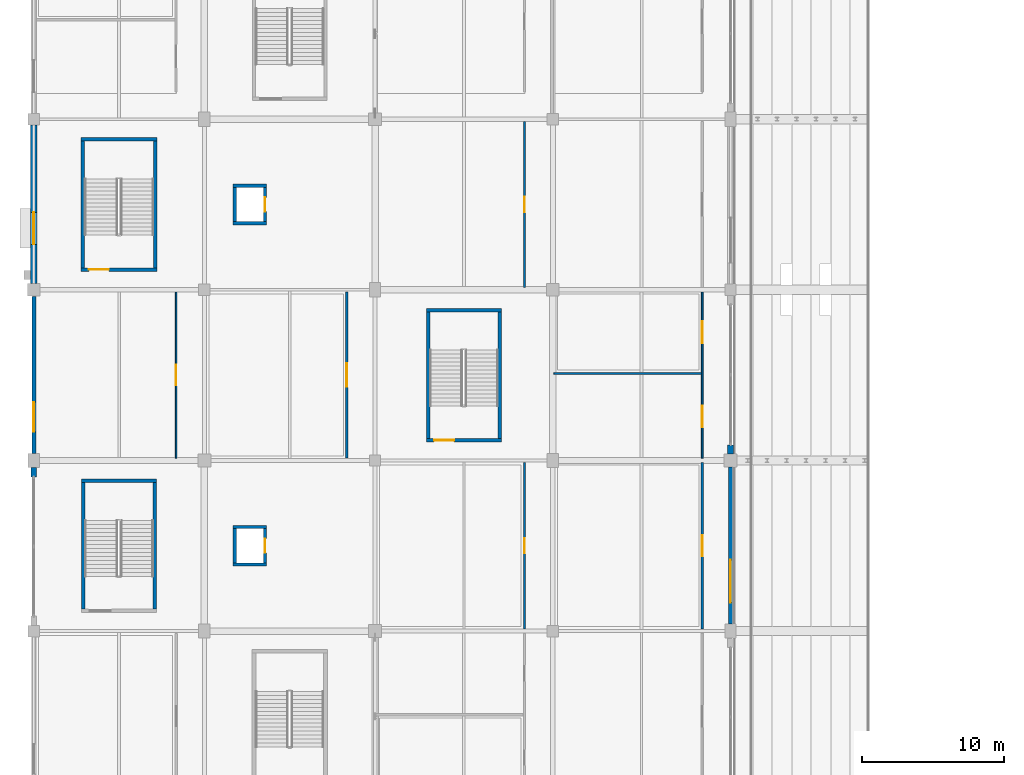
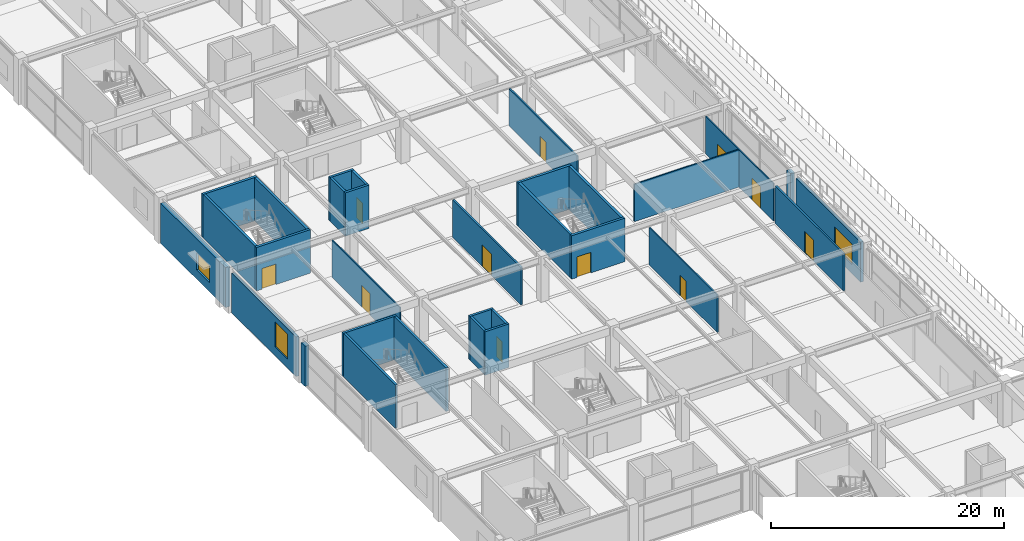
# One storey, part 80 of 134: 31 walls, 11 doors, 3 windows, 14 openings.
"""IFC4 building model written with IfcOpenShell, lengths in metres."""

import ifcopenshell
import ifcopenshell.guid

model = None  # the IFC model being written
_history = None  # IfcOwnerHistory: only IFC2X3 demands one
_inside = {}  # id of a spatial element -> (the spatial element, [elements in it])
_under = {}  # id of a project, library or spatial element -> (it, [spatial elements below it])
_declared = {}  # id of a project -> (the project, [libraries it declares])
_typed = {}  # id of a type object -> (the type object, [elements of that type])
_made_of = {}  # id of a material, layer set ... -> (it, [elements and type objects made of it])


def new_model(schema):
    """Start an empty IFC model of exactly this schema.

    Asked for "IFC4X3", IfcOpenShell would pick the latest addendum, in which some entities
    have other attributes; the version numbers below select the first issue.
    IFC2X3 requires an IfcOwnerHistory on every rooted entity: one is made here for all.
    """
    global model, _history
    if schema == "IFC4X3":
        model = ifcopenshell.file(schema_version=(4, 3, 0, 0))
    else:
        model = ifcopenshell.file(schema=schema)
    _inside.clear()
    _under.clear()
    _declared.clear()
    _typed.clear()
    _made_of.clear()
    _history = None
    if model.schema == "IFC2X3":
        org = make("IfcOrganization", Name="unknown")
        user = make(
            "IfcPersonAndOrganization",
            ThePerson=make("IfcPerson", FamilyName="unknown"),
            TheOrganization=org,
        )
        app = make(
            "IfcApplication",
            ApplicationDeveloper=org,
            Version="unknown",
            ApplicationFullName="unknown",
            ApplicationIdentifier="unknown",
        )
        _history = make(
            "IfcOwnerHistory",
            OwningUser=user,
            OwningApplication=app,
            ChangeAction="ADDED",
            CreationDate=0,
        )
    return model


def make(cls, **values):
    """One entity of the class cls with the attributes given. An attribute that is None is left unset."""
    return model.create_entity(
        cls, **{name: value for name, value in values.items() if value is not None}
    )


def rooted(cls, **values):
    """An entity with a GlobalId (a new one), such as an element, a storey or a relation."""
    return make(cls, GlobalId=ifcopenshell.guid.new(), OwnerHistory=_history, **values)


def si_unit(unit_type, name, prefix=None):
    """IfcSIUnit, for example si_unit("LENGTHUNIT", "METRE", prefix="MILLI")."""
    return make("IfcSIUnit", UnitType=unit_type, Prefix=prefix, Name=name)


def assignment(units):
    """IfcUnitAssignment: the units of a project."""
    return None if units is None else make("IfcUnitAssignment", Units=units)


def point(xyz):
    """IfcCartesianPoint."""
    return None if xyz is None else make("IfcCartesianPoint", Coordinates=xyz)


def direction(xyz):
    """IfcDirection."""
    return None if xyz is None else make("IfcDirection", DirectionRatios=xyz)


def frame(location, z_axis=None, x_axis=None):
    """IfcAxis2Placement3D, a coordinate frame: its origin and axes. An axis left out is left unset."""
    return make(
        "IfcAxis2Placement3D",
        Location=point(location),
        Axis=direction(z_axis),
        RefDirection=direction(x_axis),
    )


def frame_2d(location, x_axis=None):
    """IfcAxis2Placement2D, a coordinate frame in the plane: its origin and x axis."""
    return make(
        "IfcAxis2Placement2D", Location=point(location), RefDirection=direction(x_axis)
    )


def origin():
    """The frame at (0, 0, 0) with its axes left unset."""
    return frame((0.0, 0.0, 0.0))


def place(relative_to, where):
    """IfcLocalPlacement: puts the frame where relative to a parent placement (None: the world)."""
    return make(
        "IfcLocalPlacement", PlacementRelTo=relative_to, RelativePlacement=where
    )


def context(
    kind, dimensions, precision=None, world=None, true_north=None, identifier=None
):
    """IfcGeometricRepresentationContext, for example the 3D "Model" context."""
    return make(
        "IfcGeometricRepresentationContext",
        ContextIdentifier=identifier,
        ContextType=kind,
        CoordinateSpaceDimension=dimensions,
        Precision=precision,
        WorldCoordinateSystem=world,
        TrueNorth=true_north,
    )


def subcontext(parent, identifier, kind, view, scale=None):
    """IfcGeometricRepresentationSubContext, for example "Body" below "Model"."""
    return make(
        "IfcGeometricRepresentationSubContext",
        ContextIdentifier=identifier,
        ContextType=kind,
        ParentContext=parent,
        TargetScale=scale,
        TargetView=view,
    )


def project(units=None, contexts=None):
    """IfcProject with its units and contexts."""
    return rooted(
        "IfcProject",
        Name="project",
        RepresentationContexts=contexts,
        UnitsInContext=assignment(units),
    )


def spatial(cls, under=None, at=None, **own):
    """A site, building, storey or space (cls), placed at a placement, below another one or the project."""
    s = rooted(cls, ObjectPlacement=at, **own)
    if under is not None:
        _under.setdefault(under.id(), (under, []))[1].append(s)
    return s


def profile(cls, at=None, kind="AREA", **sizes):
    """A parametric profile (cls). Its sizes go by their IFC names, for example OverallWidth=200.0."""
    return make(cls, ProfileType=kind, Position=at, **sizes)


def rectangle(**sizes):
    """IfcRectangleProfileDef."""
    return profile("IfcRectangleProfileDef", **sizes)


def extrude(swept, where, along, depth):
    """IfcExtrudedAreaSolid: the profile swept, set in the frame where, extruded along a direction by depth."""
    return make(
        "IfcExtrudedAreaSolid",
        SweptArea=swept,
        Position=where,
        ExtrudedDirection=direction(along),
        Depth=depth,
    )


def shape(context_of_items, identifier, shape_type, items):
    """IfcShapeRepresentation: the items that make up one representation, for example the "Body"."""
    return make(
        "IfcShapeRepresentation",
        ContextOfItems=context_of_items,
        RepresentationIdentifier=identifier,
        RepresentationType=shape_type,
        Items=items,
    )


def material(Name=None, Category=None):
    """IfcMaterial."""
    return make("IfcMaterial", Name=Name, Category=Category)


def layer(
    of_material, thickness, ventilated=None, Name=None, Category=None, Priority=None
):
    """IfcMaterialLayer: one layer of a wall or slab, of a material (None: an air gap)."""
    return make(
        "IfcMaterialLayer",
        Material=of_material,
        LayerThickness=thickness,
        IsVentilated=ventilated,
        Name=Name,
        Category=Category,
        Priority=Priority,
    )


def layer_set(layers, Name=None):
    """IfcMaterialLayerSet."""
    return make("IfcMaterialLayerSet", MaterialLayers=layers, LayerSetName=Name)


def made_of(thing, what):
    """Note that an element or type object is made of a material, layer set ...; save() writes the relation."""
    if what is not None:
        _made_of.setdefault(what.id(), (what, []))[1].append(thing)
    return thing


def type_object(cls, material=None, **own):
    """A type object (cls), such as IfcWallType, which elements share."""
    return made_of(rooted(cls, **own), material)


def element(
    cls,
    number,
    at=None,
    inside=None,
    cuts=None,
    type_object=None,
    material=None,
    context=None,
    identifier="Body",
    shape_type=None,
    held_by="IfcProductDefinitionShape",
    body=None,
    shapes=None,
    **own,
):
    """One element of the class cls, such as IfcWall. Its Tag is "e" and its number.

    at: its placement. inside: the storey or other place that contains it. cuts: it is an
    opening in that element (IfcRelVoidsElement). A single representation is given by context,
    identifier, shape_type and body (its items); several are given by shapes. held_by: the class
    of the entity that holds the representations. save() writes the other relations.
    """
    e = rooted(cls, Tag="e%d" % number, ObjectPlacement=at, **own)
    if body is not None:
        shapes = [shape(context, identifier, shape_type, body)]
    if shapes is not None:
        e.Representation = make(held_by, Representations=shapes)
    if inside is not None:
        _inside.setdefault(inside.id(), (inside, []))[1].append(e)
    if cuts is not None:
        rooted(
            "IfcRelVoidsElement", RelatingBuildingElement=cuts, RelatedOpeningElement=e
        )
    if type_object is not None:
        _typed.setdefault(type_object.id(), (type_object, []))[1].append(e)
    return made_of(e, material)


def fill(opening, filler):
    """IfcRelFillsElement: the door or window that sits in an opening."""
    return rooted(
        "IfcRelFillsElement",
        RelatingOpeningElement=opening,
        RelatedBuildingElement=filler,
    )


def aggregate(whole, parts):
    """IfcRelAggregates: a whole, such as a stair, and the parts it consists of."""
    return rooted("IfcRelAggregates", RelatingObject=whole, RelatedObjects=parts)


def save(model, path):
    """Write the relations noted so far, then the file.

    IfcRelAggregates (storeys below a building ...), IfcRelContainedInSpatialStructure (elements
    in a storey), IfcRelDefinesByType, IfcRelAssociatesMaterial and IfcRelDeclares: one each for
    every whole, place, type object, material and project.
    """
    for whole, parts in _under.values():
        aggregate(whole, parts)
    for where, things in _inside.values():
        rooted(
            "IfcRelContainedInSpatialStructure",
            RelatedElements=things,
            RelatingStructure=where,
        )
    for kind, things in _typed.values():
        rooted("IfcRelDefinesByType", RelatedObjects=things, RelatingType=kind)
    for what, things in _made_of.values():
        rooted("IfcRelAssociatesMaterial", RelatedObjects=things, RelatingMaterial=what)
    for by, libraries in _declared.values():
        rooted("IfcRelDeclares", RelatingContext=by, RelatedDefinitions=libraries)
    model.write(path)


model = new_model("IFC4")

# Units and contexts
model_context = context("Model", 3, precision=1e-05, world=origin(), true_north=direction((0.0, 1.0)))
body_context = subcontext(model_context, "Body", "Model", "MODEL_VIEW")
ifc_project = project(units=[si_unit("LENGTHUNIT", "METRE"), si_unit("AREAUNIT", "SQUARE_METRE"), si_unit("VOLUMEUNIT", "CUBIC_METRE"), si_unit("PLANEANGLEUNIT", "RADIAN"), si_unit("MASSUNIT", "GRAM", prefix="KILO")], contexts=[model_context])

# Site, building, storey
site_placement = place(None, origin())
site = spatial("IfcSite", under=ifc_project, at=site_placement, CompositionType="ELEMENT")
building_placement = place(site_placement, origin())
building = spatial("IfcBuilding", under=site, at=building_placement, Name="Kazenohara Klinker Stadium", CompositionType="ELEMENT")
storey_placement = place(building_placement, frame((0.0, 0.0, 5.39990234375)))
storey = spatial("IfcBuildingStorey", under=building, at=storey_placement, Name="L01", CompositionType="ELEMENT", Elevation=5.39990234375)

# Walls
ifc_material_1 = material(Name="Concrete C40/50", Category="concrete")
ifc_layer_1 = layer(ifc_material_1, 0.22998046875)
ifc_layer_set_1 = layer_set([ifc_layer_1], Name="Concrete C40/50")
wall_type_1 = type_object("IfcWallType", Name="WAL-CORE-230", PredefinedType="SHEAR", material=ifc_layer_set_1)
wall_1_placement = place(storey_placement, frame((3.3701171875, 70.56494140625, 0.0), z_axis=(0.0, 0.0, 1.0), x_axis=(1.0, 0.0, 0.0)))
element("IfcWall", 1, at=wall_1_placement, inside=storey, type_object=wall_type_1, Name="Stairwell shear wall ST02 L01 North", PredefinedType="SHEAR", context=body_context, shape_type="SweptSolid", body=[
    extrude(rectangle(XDim=5.259765625, YDim=0.22998046875, at=frame_2d((2.6298828125, 0.0))), origin(), (0.0, 0.0, 1.0), 4.550048828125),
])
for number, where, z_axis, x_axis, name in (
    (2, (3.485107421875, 61.550048828125, 0.0), (0.0, 0.0, 1.0), (0.0, 1.0, 0.0), "Stairwell shear wall ST02 L01 West"),
    (3, (8.514892578125, 61.550048828125, 0.0), (0.0, 0.0, 1.0), (0.0, 1.0, 0.0), "Stairwell shear wall ST02 L01 East"),
):
    element("IfcWall", number, at=place(storey_placement, frame(where, z_axis=z_axis, x_axis=x_axis)), inside=storey, type_object=wall_type_1, Name=name, PredefinedType="SHEAR", context=body_context, shape_type="SweptSolid", body=[
        extrude(rectangle(XDim=8.89990234375, YDim=0.22998046875, at=frame_2d((4.449951171875, 0.0))), origin(), (0.0, 0.0, 1.0), 4.550048828125),
    ])
for number, where, z_axis, x_axis, name in (
    (4, (14.02001953125, 64.68505859375, 0.0), (0.0, 0.0, 1.0), (1.0, 0.0, 0.0), "Elevator shaft wall LP01 L01 South"),
    (5, (14.02001953125, 67.31494140625, 0.0), (0.0, 0.0, 1.0), (1.0, 0.0, 0.0), "Elevator shaft wall LP01 L01 North"),
):
    element("IfcWall", number, at=place(storey_placement, frame(where, z_axis=z_axis, x_axis=x_axis)), inside=storey, type_object=wall_type_1, Name=name, PredefinedType="SHEAR", context=body_context, shape_type="SweptSolid", body=[
        extrude(rectangle(XDim=2.35986328125, YDim=0.22998046875, at=frame_2d((1.179931640625, 0.0))), origin(), (0.0, 0.0, 1.0), 4.550048828125),
    ])
wall_2_placement = place(storey_placement, frame((14.135009765625, 64.800048828125, 0.0), z_axis=(0.0, 0.0, 1.0), x_axis=(0.0, 1.0, 0.0)))
element("IfcWall", 6, at=wall_2_placement, inside=storey, type_object=wall_type_1, Name="Elevator shaft wall LP01 L01 West", PredefinedType="SHEAR", context=body_context, shape_type="SweptSolid", body=[
    extrude(rectangle(XDim=2.39990234375, YDim=0.22998046875, at=frame_2d((1.199951171875, 0.0))), origin(), (0.0, 0.0, 1.0), 4.550048828125),
])

# Wall, opening, door
wall_3_placement = place(storey_placement, frame((16.264892578125, 64.800048828125, 0.0), z_axis=(0.0, 0.0, 1.0), x_axis=(0.0, 1.0, 0.0)))
wall_3 = element("IfcWall", 7, at=wall_3_placement, inside=storey, type_object=wall_type_1, Name="Elevator shaft wall LP01 L01 East", PredefinedType="SHEAR", context=body_context, shape_type="SweptSolid", body=[
    extrude(rectangle(XDim=2.39990234375, YDim=0.22998046875, at=frame_2d((1.199951171875, 0.0))), origin(), (0.0, 0.0, 1.0), 4.550048828125),
])
opening_1_placement = place(wall_3_placement, frame((0.699951171875, 0.0, 0.0)))
opening_1 = element("IfcOpeningElement", 8, at=opening_1_placement, cuts=wall_3, Name="Opening LD02", PredefinedType="OPENING", context=body_context, shape_type="SweptSolid", body=[
    extrude(rectangle(XDim=1.0, YDim=2.14990234375, at=frame_2d((0.5, 1.074951171875))), frame((0.0, 0.125, 0.0), z_axis=(0.0, -1.0, 0.0), x_axis=(1.0, 0.0, 0.0)), (0.0, 0.0, 1.0), 0.25),
])
ifc_material_2 = material(Name="Stainless steel sliding landing door", Category="steel")
door_type_1 = type_object("IfcDoorType", Name="DR-LD02-1000x2150", OperationType="NOTDEFINED", PredefinedType="DOOR", material=ifc_material_2)
door_1_placement = place(opening_1_placement, origin())
door_1 = element("IfcDoor", 9, at=door_1_placement, inside=storey, type_object=door_type_1, Name="Elevator sliding landing door LP01-L01", OperationType="DOUBLE_DOOR_SLIDING", OverallHeight=2.14990234375, OverallWidth=1.0, PredefinedType="DOOR", context=body_context, shape_type="SweptSolid", body=[
    extrude(rectangle(XDim=1.0, YDim=2.14990234375, at=frame_2d((0.5, 1.074951171875))), frame((0.0, 0.02490234375, 0.0), z_axis=(0.0, -1.0, 0.0), x_axis=(1.0, 0.0, 0.0)), (0.0, 0.0, 1.0), 0.050048828125),
])
fill(opening_1, door_1)

# Walls
for number, where, z_axis, x_axis, name in (
    (10, (14.02001953125, 88.68505859375, 0.0), (0.0, 0.0, 1.0), (1.0, 0.0, 0.0), "Elevator shaft wall LP02 L01 South"),
    (11, (14.02001953125, 91.31494140625, 0.0), (0.0, 0.0, 1.0), (1.0, 0.0, 0.0), "Elevator shaft wall LP02 L01 North"),
):
    element("IfcWall", number, at=place(storey_placement, frame(where, z_axis=z_axis, x_axis=x_axis)), inside=storey, type_object=wall_type_1, Name=name, PredefinedType="SHEAR", context=body_context, shape_type="SweptSolid", body=[
        extrude(rectangle(XDim=2.35986328125, YDim=0.22998046875, at=frame_2d((1.179931640625, 0.0))), origin(), (0.0, 0.0, 1.0), 4.550048828125),
    ])
wall_4_placement = place(storey_placement, frame((14.135009765625, 88.800048828125, 0.0), z_axis=(0.0, 0.0, 1.0), x_axis=(0.0, 1.0, 0.0)))
element("IfcWall", 12, at=wall_4_placement, inside=storey, type_object=wall_type_1, Name="Elevator shaft wall LP02 L01 West", PredefinedType="SHEAR", context=body_context, shape_type="SweptSolid", body=[
    extrude(rectangle(XDim=2.39990234375, YDim=0.22998046875, at=frame_2d((1.199951171875, 0.0))), origin(), (0.0, 0.0, 1.0), 4.550048828125),
])

# Wall, opening, door
wall_5_placement = place(storey_placement, frame((16.264892578125, 88.800048828125, 0.0), z_axis=(0.0, 0.0, 1.0), x_axis=(0.0, 1.0, 0.0)))
wall_5 = element("IfcWall", 13, at=wall_5_placement, inside=storey, type_object=wall_type_1, Name="Elevator shaft wall LP02 L01 East", PredefinedType="SHEAR", context=body_context, shape_type="SweptSolid", body=[
    extrude(rectangle(XDim=2.39990234375, YDim=0.22998046875, at=frame_2d((1.199951171875, 0.0))), origin(), (0.0, 0.0, 1.0), 4.550048828125),
])
opening_2_placement = place(wall_5_placement, frame((0.699951171875, 0.0, 0.0)))
opening_2 = element("IfcOpeningElement", 14, at=opening_2_placement, cuts=wall_5, Name="Opening LD02", PredefinedType="OPENING", context=body_context, shape_type="SweptSolid", body=[
    extrude(rectangle(XDim=1.0, YDim=2.14990234375, at=frame_2d((0.5, 1.074951171875))), frame((0.0, 0.125, 0.0), z_axis=(0.0, -1.0, 0.0), x_axis=(1.0, 0.0, 0.0)), (0.0, 0.0, 1.0), 0.25),
])
door_2_placement = place(opening_2_placement, origin())
door_2 = element("IfcDoor", 15, at=door_2_placement, inside=storey, type_object=door_type_1, Name="Elevator sliding landing door LP02-L01", OperationType="DOUBLE_DOOR_SLIDING", OverallHeight=2.14990234375, OverallWidth=1.0, PredefinedType="DOOR", context=body_context, shape_type="SweptSolid", body=[
    extrude(rectangle(XDim=1.0, YDim=2.14990234375, at=frame_2d((0.5, 1.074951171875))), frame((0.0, 0.02490234375, 0.0), z_axis=(0.0, -1.0, 0.0), x_axis=(1.0, 0.0, 0.0)), (0.0, 0.0, 1.0), 0.050048828125),
])
fill(opening_2, door_2)

ifc_layer_2 = layer(ifc_material_1, 0.25)
ifc_layer_set_2 = layer_set([ifc_layer_2], Name="Concrete C40/50")
wall_type_2 = type_object("IfcWallType", Name="WAL-CORE-250", PredefinedType="SHEAR", material=ifc_layer_set_2)
wall_6_placement = place(storey_placement, frame((3.330078125, 85.425048828125, 0.0), z_axis=(0.0, 0.0, 1.0), x_axis=(1.0, 0.0, 0.0)))
wall_6 = element("IfcWall", 16, at=wall_6_placement, inside=storey, type_object=wall_type_2, Name="Stairwell shear wall ST03 L01 South", PredefinedType="SHEAR", context=body_context, shape_type="SweptSolid", body=[
    extrude(rectangle(XDim=5.33984375, YDim=0.25, at=frame_2d((2.669921875, 0.0))), origin(), (0.0, 0.0, 1.0), 4.550048828125),
])
opening_3_placement = place(wall_6_placement, frame((0.550048828125, 0.0, 0.0)))
opening_3 = element("IfcOpeningElement", 17, at=opening_3_placement, cuts=wall_6, Name="Opening SD01", PredefinedType="OPENING", context=body_context, shape_type="SweptSolid", body=[
    extrude(rectangle(XDim=1.39990234375, YDim=2.14990234375, at=frame_2d((0.699951171875, 1.074951171875))), frame((0.0, 0.135009765625, 0.0), z_axis=(0.0, -1.0, 0.0), x_axis=(1.0, 0.0, 0.0)), (0.0, 0.0, 1.0), 0.27001953125),
])
ifc_material_3 = material(Name="Flush painted steel fire door leaf", Category="steel")
door_type_2 = type_object("IfcDoorType", Name="DR-STR-1400x2150", OperationType="NOTDEFINED", PredefinedType="DOOR", material=ifc_material_3)
door_3_placement = place(opening_3_placement, origin())
door_3 = element("IfcDoor", 18, at=door_3_placement, inside=storey, type_object=door_type_2, Name="Escape stairwell fire door ST03-L01", OperationType="SINGLE_SWING_LEFT", OverallHeight=2.14990234375, OverallWidth=1.39990234375, PredefinedType="DOOR", context=body_context, shape_type="SweptSolid", body=[
    extrude(rectangle(XDim=1.39990234375, YDim=2.14990234375, at=frame_2d((0.699951171875, 1.074951171875))), frame((0.0, 0.02490234375, 0.0), z_axis=(0.0, -1.0, 0.0), x_axis=(1.0, 0.0, 0.0)), (0.0, 0.0, 1.0), 0.050048828125),
])
fill(opening_3, door_3)

# Walls
wall_7_placement = place(storey_placement, frame((3.330078125, 94.574951171875, 0.0), z_axis=(0.0, 0.0, 1.0), x_axis=(1.0, 0.0, 0.0)))
element("IfcWall", 19, at=wall_7_placement, inside=storey, type_object=wall_type_2, Name="Stairwell shear wall ST03 L01 North", PredefinedType="SHEAR", context=body_context, shape_type="SweptSolid", body=[
    extrude(rectangle(XDim=5.33984375, YDim=0.25, at=frame_2d((2.669921875, 0.0))), origin(), (0.0, 0.0, 1.0), 4.550048828125),
])
for number, where, z_axis, x_axis, name in (
    (20, (3.455078125, 85.550048828125, 0.0), (0.0, 0.0, 1.0), (0.0, 1.0, 0.0), "Stairwell shear wall ST03 L01 West"),
    (21, (8.544921875, 85.550048828125, 0.0), (0.0, 0.0, 1.0), (0.0, 1.0, 0.0), "Stairwell shear wall ST03 L01 East"),
):
    element("IfcWall", number, at=place(storey_placement, frame(where, z_axis=z_axis, x_axis=x_axis)), inside=storey, type_object=wall_type_2, Name=name, PredefinedType="SHEAR", context=body_context, shape_type="SweptSolid", body=[
        extrude(rectangle(XDim=8.89990234375, YDim=0.25, at=frame_2d((4.449951171875, 0.0))), origin(), (0.0, 0.0, 1.0), 4.550048828125),
    ])

# Wall, opening, door
wall_8_placement = place(storey_placement, frame((27.610107421875, 73.425048828125, 0.0), z_axis=(0.0, 0.0, 1.0), x_axis=(1.0, 0.0, 0.0)))
wall_8 = element("IfcWall", 22, at=wall_8_placement, inside=storey, type_object=wall_type_2, Name="Stairwell shear wall ST17 L01 South", PredefinedType="SHEAR", context=body_context, shape_type="SweptSolid", body=[
    extrude(rectangle(XDim=5.27978515625, YDim=0.25, at=frame_2d((2.639892578125, 0.0))), origin(), (0.0, 0.0, 1.0), 4.550048828125),
])
opening_4_placement = place(wall_8_placement, frame((0.550048828125, 0.0, 0.0)))
opening_4 = element("IfcOpeningElement", 23, at=opening_4_placement, cuts=wall_8, Name="Opening SD01", PredefinedType="OPENING", context=body_context, shape_type="SweptSolid", body=[
    extrude(rectangle(XDim=1.39990234375, YDim=2.14990234375, at=frame_2d((0.699951171875, 1.074951171875))), frame((0.0, 0.135009765625, 0.0), z_axis=(0.0, -1.0, 0.0), x_axis=(1.0, 0.0, 0.0)), (0.0, 0.0, 1.0), 0.27001953125),
])
door_4_placement = place(opening_4_placement, origin())
door_4 = element("IfcDoor", 24, at=door_4_placement, inside=storey, type_object=door_type_2, Name="Escape stairwell fire door ST17-L01", OperationType="SINGLE_SWING_RIGHT", OverallHeight=2.14990234375, OverallWidth=1.39990234375, PredefinedType="DOOR", context=body_context, shape_type="SweptSolid", body=[
    extrude(rectangle(XDim=1.39990234375, YDim=2.14990234375, at=frame_2d((0.699951171875, 1.074951171875))), frame((0.0, 0.02490234375, 0.0), z_axis=(0.0, -1.0, 0.0), x_axis=(1.0, 0.0, 0.0)), (0.0, 0.0, 1.0), 0.050048828125),
])
fill(opening_4, door_4)

# Walls
wall_9_placement = place(storey_placement, frame((27.610107421875, 82.574951171875, 0.0), z_axis=(0.0, 0.0, 1.0), x_axis=(1.0, 0.0, 0.0)))
element("IfcWall", 25, at=wall_9_placement, inside=storey, type_object=wall_type_2, Name="Stairwell shear wall ST17 L01 North", PredefinedType="SHEAR", context=body_context, shape_type="SweptSolid", body=[
    extrude(rectangle(XDim=5.27978515625, YDim=0.25, at=frame_2d((2.639892578125, 0.0))), origin(), (0.0, 0.0, 1.0), 4.550048828125),
])
for number, where, z_axis, x_axis, name in (
    (26, (27.735107421875, 73.550048828125, 0.0), (0.0, 0.0, 1.0), (0.0, 1.0, 0.0), "Stairwell shear wall ST17 L01 West"),
    (27, (32.764892578125, 73.550048828125, 0.0), (0.0, 0.0, 1.0), (0.0, 1.0, 0.0), "Stairwell shear wall ST17 L01 East"),
):
    element("IfcWall", number, at=place(storey_placement, frame(where, z_axis=z_axis, x_axis=x_axis)), inside=storey, type_object=wall_type_2, Name=name, PredefinedType="SHEAR", context=body_context, shape_type="SweptSolid", body=[
        extrude(rectangle(XDim=8.89990234375, YDim=0.25, at=frame_2d((4.449951171875, 0.0))), origin(), (0.0, 0.0, 1.0), 4.550048828125),
    ])

# Wall, opening, window
ifc_material_4 = material(Name="Clinker brick masonry", Category="masonry")
ifc_layer_3 = layer(ifc_material_4, 0.280029296875)
ifc_layer_set_3 = layer_set([ifc_layer_3], Name="Clinker brick masonry")
wall_type_3 = type_object("IfcWallType", Name="WAL-EXT-CB280", PredefinedType="SOLIDWALL", material=ifc_layer_set_3)
wall_10_placement = place(storey_placement, frame((0.0, 72.50390625, 0.0), z_axis=(0.0, 0.0, 1.0), x_axis=(0.0, 1.0, 0.0)))
wall_10 = element("IfcWall", 28, at=wall_10_placement, inside=storey, type_object=wall_type_3, Name="Clinker brick cavity wall EW06 L01 Y0-6", PredefinedType="SOLIDWALL", context=body_context, shape_type="SweptSolid", body=[
    extrude(rectangle(XDim=11.0419921875, YDim=0.280029296875, at=frame_2d((5.52099609375, 0.0))), origin(), (0.0, 0.0, 1.0), 4.150146484375),
])
opening_5_placement = place(wall_10_placement, frame((1.5, 0.0, 0.949951171875)))
opening_5 = element("IfcOpeningElement", 29, at=opening_5_placement, cuts=wall_10, Name="Opening W20", PredefinedType="OPENING", context=body_context, shape_type="SweptSolid", body=[
    extrude(rectangle(XDim=2.10009765625, YDim=2.60009765625, at=frame_2d((1.050048828125, 1.300048828125))), frame((0.0, 0.14990234375, 0.0), z_axis=(0.0, -1.0, 0.0), x_axis=(1.0, 0.0, 0.0)), (0.0, 0.0, 1.0), 0.300048828125),
])
ifc_material_5 = material(Name="Dark bronze aluminium frame and triple glazing", Category="aluminium")
window_type_1 = type_object("IfcWindowType", Name="WIN-AS-20", PartitioningType="SINGLE_PANEL", PredefinedType="WINDOW", material=ifc_material_5)
window_1_placement = place(opening_5_placement, origin())
window_1 = element("IfcWindow", 30, at=window_1_placement, inside=storey, type_object=window_type_1, Name="Horizontal-mullion ladder window W20 L01 Y0-6", OverallHeight=2.60009765625, OverallWidth=2.10009765625, PartitioningType="SINGLE_PANEL", PredefinedType="WINDOW", context=body_context, shape_type="SweptSolid", body=[
    extrude(rectangle(XDim=2.10009765625, YDim=2.60009765625, at=frame_2d((1.050048828125, 1.300048828125))), frame((0.0, 0.030029296875, 0.0), z_axis=(0.0, -1.0, 0.0), x_axis=(1.0, 0.0, 0.0)), (0.0, 0.0, 1.0), 0.06005859375),
])
fill(opening_5, window_1)

wall_11_placement = place(storey_placement, frame((49.0, 60.50390625, 0.0), z_axis=(0.0, 0.0, 1.0), x_axis=(0.0, 1.0, 0.0)))
wall_11 = element("IfcWall", 31, at=wall_11_placement, inside=storey, type_object=wall_type_3, Name="Clinker brick cavity wall EW06 L01 Y4-5", PredefinedType="SOLIDWALL", context=body_context, shape_type="SweptSolid", body=[
    extrude(rectangle(XDim=11.0419921875, YDim=0.280029296875, at=frame_2d((5.52099609375, 0.0))), origin(), (0.0, 0.0, 1.0), 4.2001953125),
])
opening_6_placement = place(wall_11_placement, frame((1.5, 0.0, 0.949951171875)))
opening_6 = element("IfcOpeningElement", 32, at=opening_6_placement, cuts=wall_11, Name="Opening W31", PredefinedType="OPENING", context=body_context, shape_type="SweptSolid", body=[
    extrude(rectangle(XDim=3.0, YDim=2.14990234375, at=frame_2d((1.5, 1.074951171875))), frame((0.0, 0.14990234375, 0.0), z_axis=(0.0, -1.0, 0.0), x_axis=(1.0, 0.0, 0.0)), (0.0, 0.0, 1.0), 0.300048828125),
])
window_type_2 = type_object("IfcWindowType", Name="WIN-AS-31", PartitioningType="SINGLE_PANEL", PredefinedType="WINDOW", material=ifc_material_5)
window_2_placement = place(opening_6_placement, origin())
window_2 = element("IfcWindow", 33, at=window_2_placement, inside=storey, type_object=window_type_2, Name="Horizontal-mullion ladder window W31 L01 Y4-5", OverallHeight=2.14990234375, OverallWidth=3.0, PartitioningType="SINGLE_PANEL", PredefinedType="WINDOW", context=body_context, shape_type="SweptSolid", body=[
    extrude(rectangle(XDim=3.0, YDim=2.14990234375, at=frame_2d((1.5, 1.074951171875))), frame((0.0, 0.030029296875, 0.0), z_axis=(0.0, -1.0, 0.0), x_axis=(1.0, 0.0, 0.0)), (0.0, 0.0, 1.0), 0.06005859375),
])
fill(opening_6, window_2)

# Walls
ifc_layer_4 = layer(ifc_material_4, 0.409912109375)
ifc_layer_set_4 = layer_set([ifc_layer_4], Name="Clinker brick masonry")
wall_type_4 = type_object("IfcWallType", Name="WAL-EXT-CB410", PredefinedType="SOLIDWALL", material=ifc_layer_set_4)
wall_12_placement = place(storey_placement, frame((0.0, 70.845947265625, 0.0), z_axis=(0.0, 0.0, 1.0), x_axis=(0.0, 1.0, 0.0)))
element("IfcWall", 34, at=wall_12_placement, inside=storey, type_object=wall_type_4, Name="Clinker brick curtain-wall jamb pier L01 Y0-5 B", PredefinedType="SOLIDWALL", context=body_context, shape_type="SweptSolid", body=[
    extrude(rectangle(XDim=0.650146484375, YDim=0.409912109375, at=frame_2d((0.3251953125, 0.0))), origin(), (0.0, 0.0, 1.0), 4.2001953125),
])
wall_13_placement = place(storey_placement, frame((49.0, 72.4541015625, 0.0), z_axis=(0.0, 0.0, 1.0), x_axis=(0.0, 1.0, 0.0)))
element("IfcWall", 35, at=wall_13_placement, inside=storey, type_object=wall_type_4, Name="Clinker brick curtain-wall jamb pier L01 Y4-6 A", PredefinedType="SOLIDWALL", context=body_context, shape_type="SweptSolid", body=[
    extrude(rectangle(XDim=0.64990234375, YDim=0.409912109375, at=frame_2d((0.324951171875, 0.0))), origin(), (0.0, 0.0, 1.0), 4.150146484375),
])

# Wall, opening, window
ifc_layer_5 = layer(ifc_material_4, 0.449951171875)
ifc_layer_set_5 = layer_set([ifc_layer_5], Name="Clinker brick masonry")
wall_type_5 = type_object("IfcWallType", Name="WAL-EXT-CB450", PredefinedType="SOLIDWALL", material=ifc_layer_set_5)
wall_14_placement = place(storey_placement, frame((0.0, 84.4541015625, 0.0), z_axis=(0.0, 0.0, 1.0), x_axis=(0.0, 1.0, 0.0)))
wall_14 = element("IfcWall", 36, at=wall_14_placement, inside=storey, type_object=wall_type_5, Name="Clinker brick cavity wall EW01 L01 Y0-7", PredefinedType="SOLIDWALL", context=body_context, shape_type="SweptSolid", body=[
    extrude(rectangle(XDim=11.141845703125, YDim=0.449951171875, at=frame_2d((5.57080078125, 0.0))), origin(), (0.0, 0.0, 1.0), 4.2001953125),
])
opening_7_placement = place(wall_14_placement, frame((2.75, 0.0, 0.949951171875)))
opening_7 = element("IfcOpeningElement", 37, at=opening_7_placement, cuts=wall_14, Name="Opening W21", PredefinedType="OPENING", context=body_context, shape_type="SweptSolid", body=[
    extrude(rectangle(XDim=2.25, YDim=1.800048828125, at=frame_2d((1.125, 0.89990234375))), frame((0.0, 0.23486328125, 0.0), z_axis=(0.0, -1.0, 0.0), x_axis=(1.0, 0.0, 0.0)), (0.0, 0.0, 1.0), 0.469970703125),
])
window_type_3 = type_object("IfcWindowType", Name="WIN-AS-21", PartitioningType="SINGLE_PANEL", PredefinedType="WINDOW", material=ifc_material_5)
window_3_placement = place(opening_7_placement, origin())
window_3 = element("IfcWindow", 38, at=window_3_placement, inside=storey, type_object=window_type_3, Name="Horizontal-mullion ladder window W21 L01 Y0-7", OverallHeight=1.800048828125, OverallWidth=2.25, PartitioningType="SINGLE_PANEL", PredefinedType="WINDOW", context=body_context, shape_type="SweptSolid", body=[
    extrude(rectangle(XDim=2.25, YDim=1.800048828125, at=frame_2d((1.125, 0.89990234375))), frame((0.0, 0.030029296875, 0.0), z_axis=(0.0, -1.0, 0.0), x_axis=(1.0, 0.0, 0.0)), (0.0, 0.0, 1.0), 0.06005859375),
])
fill(opening_7, window_3)

# Wall, opening, door
ifc_material_6 = material(Name="Fire-rated gypsum board on acoustic studs", Category="gypsum")
ifc_layer_6 = layer(ifc_material_6, 0.110107421875)
ifc_layer_set_6 = layer_set([ifc_layer_6], Name="Fire-rated gypsum board on acoustic studs")
wall_type_6 = type_object("IfcWallType", Name="WAL-INT-P110", PredefinedType="PARTITIONING", material=ifc_layer_set_6)
wall_15_placement = place(storey_placement, frame((10.010009765625, 72.159912109375, 0.0), z_axis=(0.0, 0.0, 1.0), x_axis=(0.0, 1.0, 0.0)))
wall_15 = element("IfcWall", 39, at=wall_15_placement, inside=storey, type_object=wall_type_6, Name="Interior partition wall PT01 SPC-L01-00-06-1-1", PredefinedType="PARTITIONING", context=body_context, shape_type="SweptSolid", body=[
    extrude(rectangle(XDim=11.68017578125, YDim=0.110107421875, at=frame_2d((5.840087890625, 0.0))), origin(), (0.0, 0.0, 1.0), 3.920166015625),
])
opening_8_placement = place(wall_15_placement, frame((5.1201171875, 0.0, 0.0)))
opening_8 = element("IfcOpeningElement", 40, at=opening_8_placement, cuts=wall_15, Name="Opening ID19", PredefinedType="OPENING", context=body_context, shape_type="SweptSolid", body=[
    extrude(rectangle(XDim=1.43994140625, YDim=2.260009765625, at=frame_2d((0.719970703125, 1.1298828125))), frame((0.0, 0.06494140625, 0.0), z_axis=(0.0, -1.0, 0.0), x_axis=(1.0, 0.0, 0.0)), (0.0, 0.0, 1.0), 0.130126953125),
])
ifc_material_7 = material(Name="Painted steel plant fire door", Category="steel")
door_type_3 = type_object("IfcDoorType", Name="DR-INT-19", OperationType="NOTDEFINED", PredefinedType="DOOR", material=ifc_material_7)
door_5_placement = place(opening_8_placement, origin())
door_5 = element("IfcDoor", 41, at=door_5_placement, inside=storey, type_object=door_type_3, Name="Interior door ID19 Family Sensory Hospitality Lounge L01-0006A", OperationType="SINGLE_SWING_RIGHT", OverallHeight=2.260009765625, OverallWidth=1.43994140625, PredefinedType="DOOR", context=body_context, shape_type="SweptSolid", body=[
    extrude(rectangle(XDim=1.43994140625, YDim=2.260009765625, at=frame_2d((0.719970703125, 1.1298828125))), frame((0.0, 0.02490234375, 0.0), z_axis=(0.0, -1.0, 0.0), x_axis=(1.0, 0.0, 0.0)), (0.0, 0.0, 1.0), 0.050048828125),
])
fill(opening_8, door_5)

# Wall, openings, doors
wall_16_placement = place(storey_placement, frame((47.010009765625, 72.159912109375, 0.0), z_axis=(0.0, 0.0, 1.0), x_axis=(0.0, 1.0, 0.0)))
wall_16 = element("IfcWall", 42, at=wall_16_placement, inside=storey, type_object=wall_type_6, Name="Interior partition wall PT01 SPC-L01-03-06-1-1", PredefinedType="PARTITIONING", context=body_context, shape_type="SweptSolid", body=[
    extrude(rectangle(XDim=11.68017578125, YDim=0.110107421875, at=frame_2d((5.840087890625, 0.0))), origin(), (0.0, 0.0, 1.0), 3.920166015625),
])
opening_9_placement = place(wall_16_placement, frame((2.178466796875, 0.0, 0.0)))
opening_9 = element("IfcOpeningElement", 43, at=opening_9_placement, cuts=wall_16, Name="Opening ID21", PredefinedType="OPENING", context=body_context, shape_type="SweptSolid", body=[
    extrude(rectangle(XDim=1.52001953125, YDim=2.280029296875, at=frame_2d((0.760009765625, 1.14013671875))), frame((0.0, 0.06494140625, 0.0), z_axis=(0.0, -1.0, 0.0), x_axis=(1.0, 0.0, 0.0)), (0.0, 0.0, 1.0), 0.130126953125),
])
opening_10_placement = place(wall_16_placement, frame((8.078369140625, 0.0, 0.0)))
opening_10 = element("IfcOpeningElement", 44, at=opening_10_placement, cuts=wall_16, Name="Opening ID22", PredefinedType="OPENING", context=body_context, shape_type="SweptSolid", body=[
    extrude(rectangle(XDim=1.56005859375, YDim=2.260009765625, at=frame_2d((0.780029296875, 1.1298828125))), frame((0.0, 0.06494140625, 0.0), z_axis=(0.0, -1.0, 0.0), x_axis=(1.0, 0.0, 0.0)), (0.0, 0.0, 1.0), 0.130126953125),
])
door_type_4 = type_object("IfcDoorType", Name="DR-INT-21", OperationType="NOTDEFINED", PredefinedType="DOOR", material=ifc_material_7)
door_6_placement = place(opening_9_placement, origin())
door_6 = element("IfcDoor", 45, at=door_6_placement, inside=storey, type_object=door_type_4, Name="Interior door ID21 Community Martial Arts Fitness Studio L01-0306A", OperationType="SINGLE_SWING_RIGHT", OverallHeight=2.280029296875, OverallWidth=1.52001953125, PredefinedType="DOOR", context=body_context, shape_type="SweptSolid", body=[
    extrude(rectangle(XDim=1.52001953125, YDim=2.280029296875, at=frame_2d((0.760009765625, 1.14013671875))), frame((0.0, 0.02490234375, 0.0), z_axis=(0.0, -1.0, 0.0), x_axis=(1.0, 0.0, 0.0)), (0.0, 0.0, 1.0), 0.050048828125),
])
fill(opening_9, door_6)
door_type_5 = type_object("IfcDoorType", Name="DR-INT-22", OperationType="NOTDEFINED", PredefinedType="DOOR", material=ifc_material_7)
door_7_placement = place(opening_10_placement, origin())
door_7 = element("IfcDoor", 46, at=door_7_placement, inside=storey, type_object=door_type_5, Name="Interior door ID22 Spectator First-Aid Medical Clinic L01-0306B", OperationType="SINGLE_SWING_LEFT", OverallHeight=2.260009765625, OverallWidth=1.56005859375, PredefinedType="DOOR", context=body_context, shape_type="SweptSolid", body=[
    extrude(rectangle(XDim=1.56005859375, YDim=2.260009765625, at=frame_2d((0.780029296875, 1.1298828125))), frame((0.0, 0.02490234375, 0.0), z_axis=(0.0, -1.0, 0.0), x_axis=(1.0, 0.0, 0.0)), (0.0, 0.0, 1.0), 0.050048828125),
])
fill(opening_10, door_7)

# Wall, opening, door
ifc_layer_7 = layer(ifc_material_6, 0.1201171875)
ifc_layer_set_7 = layer_set([ifc_layer_7], Name="Fire-rated gypsum board on acoustic studs")
wall_type_7 = type_object("IfcWallType", Name="WAL-INT-P120", PredefinedType="PARTITIONING", material=ifc_layer_set_7)
wall_17_placement = place(storey_placement, frame((34.510009765625, 60.159912109375, 0.0), z_axis=(0.0, 0.0, 1.0), x_axis=(0.0, 1.0, 0.0)))
wall_17 = element("IfcWall", 47, at=wall_17_placement, inside=storey, type_object=wall_type_7, Name="Interior partition wall PT02 SPC-L01-02-05-1-1", PredefinedType="PARTITIONING", context=body_context, shape_type="SweptSolid", body=[
    extrude(rectangle(XDim=11.68017578125, YDim=0.1201171875, at=frame_2d((5.840087890625, 0.0))), origin(), (0.0, 0.0, 1.0), 3.920166015625),
])
opening_11_placement = place(wall_17_placement, frame((5.324951171875, 0.0, 0.0)))
opening_11 = element("IfcOpeningElement", 48, at=opening_11_placement, cuts=wall_17, Name="Opening ID06", PredefinedType="OPENING", context=body_context, shape_type="SweptSolid", body=[
    extrude(rectangle(XDim=1.030029296875, YDim=2.1201171875, at=frame_2d((0.51513671875, 1.06005859375))), frame((0.0, 0.070068359375, 0.0), z_axis=(0.0, -1.0, 0.0), x_axis=(1.0, 0.0, 0.0)), (0.0, 0.0, 1.0), 0.14013671875),
])
ifc_material_8 = material(Name="Solid-core Hokkaido oak fire door", Category="wood")
door_type_6 = type_object("IfcDoorType", Name="DR-INT-06", OperationType="NOTDEFINED", PredefinedType="DOOR", material=ifc_material_8)
door_8_placement = place(opening_11_placement, origin())
door_8 = element("IfcDoor", 49, at=door_8_placement, inside=storey, type_object=door_type_6, Name="Interior door ID06 Lower Concourse Spectator Dining Pavilion L01-0205A", OperationType="SINGLE_SWING_LEFT", OverallHeight=2.1201171875, OverallWidth=1.030029296875, PredefinedType="DOOR", context=body_context, shape_type="SweptSolid", body=[
    extrude(rectangle(XDim=1.030029296875, YDim=2.1201171875, at=frame_2d((0.51513671875, 1.06005859375))), frame((0.0, 0.02490234375, 0.0), z_axis=(0.0, -1.0, 0.0), x_axis=(1.0, 0.0, 0.0)), (0.0, 0.0, 1.0), 0.050048828125),
])
fill(opening_11, door_8)

# Wall
wall_18_placement = place(storey_placement, frame((36.580078125, 78.11669921875, 0.0), z_axis=(0.0, 0.0, 1.0), x_axis=(1.0, 0.0, 0.0)))
element("IfcWall", 50, at=wall_18_placement, inside=storey, type_object=wall_type_7, Name="Interior partition wall PT02 SPC-L01-03-06-1-2", PredefinedType="PARTITIONING", context=body_context, shape_type="SweptSolid", body=[
    extrude(rectangle(XDim=10.369873046875, YDim=0.1201171875, at=frame_2d((5.18505859375, 0.0))), origin(), (0.0, 0.0, 1.0), 3.920166015625),
])

# Wall, opening, door
ifc_layer_8 = layer(ifc_material_6, 0.14990234375)
ifc_layer_set_8 = layer_set([ifc_layer_8], Name="Fire-rated gypsum board on acoustic studs")
wall_type_8 = type_object("IfcWallType", Name="WAL-INT-P150", PredefinedType="PARTITIONING", material=ifc_layer_set_8)
wall_19_placement = place(storey_placement, frame((34.510009765625, 84.159912109375, 0.0), z_axis=(0.0, 0.0, 1.0), x_axis=(0.0, 1.0, 0.0)))
wall_19 = element("IfcWall", 51, at=wall_19_placement, inside=storey, type_object=wall_type_8, Name="Interior partition wall PT04 SPC-L01-02-07-1-1", PredefinedType="PARTITIONING", context=body_context, shape_type="SweptSolid", body=[
    extrude(rectangle(XDim=11.68017578125, YDim=0.14990234375, at=frame_2d((5.840087890625, 0.0))), origin(), (0.0, 0.0, 1.0), 3.920166015625),
])
opening_12_placement = place(wall_19_placement, frame((5.31005859375, 0.0, 0.0)))
opening_12 = element("IfcOpeningElement", 52, at=opening_12_placement, cuts=wall_19, Name="Opening ID07", PredefinedType="OPENING", context=body_context, shape_type="SweptSolid", body=[
    extrude(rectangle(XDim=1.06005859375, YDim=2.14990234375, at=frame_2d((0.530029296875, 1.074951171875))), frame((0.0, 0.0849609375, 0.0), z_axis=(0.0, -1.0, 0.0), x_axis=(1.0, 0.0, 0.0)), (0.0, 0.0, 1.0), 0.169921875),
])
door_type_7 = type_object("IfcDoorType", Name="DR-INT-07", OperationType="NOTDEFINED", PredefinedType="DOOR", material=ifc_material_8)
door_9_placement = place(opening_12_placement, origin())
door_9 = element("IfcDoor", 53, at=door_9_placement, inside=storey, type_object=door_type_7, Name="Interior door ID07 Family Sensory Hospitality Lounge L01-0207A", OperationType="SINGLE_SWING_RIGHT", OverallHeight=2.14990234375, OverallWidth=1.06005859375, PredefinedType="DOOR", context=body_context, shape_type="SweptSolid", body=[
    extrude(rectangle(XDim=1.06005859375, YDim=2.14990234375, at=frame_2d((0.530029296875, 1.074951171875))), frame((0.0, 0.02490234375, 0.0), z_axis=(0.0, -1.0, 0.0), x_axis=(1.0, 0.0, 0.0)), (0.0, 0.0, 1.0), 0.050048828125),
])
fill(opening_12, door_9)

ifc_layer_9 = layer(ifc_material_6, 0.169921875)
ifc_layer_set_9 = layer_set([ifc_layer_9], Name="Fire-rated gypsum board on acoustic studs")
wall_type_9 = type_object("IfcWallType", Name="WAL-INT-P170", PredefinedType="PARTITIONING", material=ifc_layer_set_9)
wall_20_placement = place(storey_placement, frame((22.010009765625, 72.159912109375, 0.0), z_axis=(0.0, 0.0, 1.0), x_axis=(0.0, 1.0, 0.0)))
wall_20 = element("IfcWall", 54, at=wall_20_placement, inside=storey, type_object=wall_type_9, Name="Interior partition wall PT05 SPC-L01-01-06-1-1", PredefinedType="PARTITIONING", context=body_context, shape_type="SweptSolid", body=[
    extrude(rectangle(XDim=11.68017578125, YDim=0.169921875, at=frame_2d((5.840087890625, 0.0))), origin(), (0.0, 0.0, 1.0), 3.920166015625),
])
opening_13_placement = place(wall_20_placement, frame((5.014892578125, 0.0, 0.0)))
opening_13 = element("IfcOpeningElement", 55, at=opening_13_placement, cuts=wall_20, Name="Opening ID24", PredefinedType="OPENING", context=body_context, shape_type="SweptSolid", body=[
    extrude(rectangle(XDim=1.64990234375, YDim=2.280029296875, at=frame_2d((0.824951171875, 1.14013671875))), frame((0.0, 0.094970703125, 0.0), z_axis=(0.0, -1.0, 0.0), x_axis=(1.0, 0.0, 0.0)), (0.0, 0.0, 1.0), 0.18994140625),
])
door_type_8 = type_object("IfcDoorType", Name="DR-INT-24", OperationType="NOTDEFINED", PredefinedType="DOOR", material=ifc_material_7)
door_10_placement = place(opening_13_placement, origin())
door_10 = element("IfcDoor", 56, at=door_10_placement, inside=storey, type_object=door_type_8, Name="Interior door ID24 Youth Sports Coaching Classroom L01-0106A", OperationType="SINGLE_SWING_LEFT", OverallHeight=2.280029296875, OverallWidth=1.64990234375, PredefinedType="DOOR", context=body_context, shape_type="SweptSolid", body=[
    extrude(rectangle(XDim=1.64990234375, YDim=2.280029296875, at=frame_2d((0.824951171875, 1.14013671875))), frame((0.0, 0.02490234375, 0.0), z_axis=(0.0, -1.0, 0.0), x_axis=(1.0, 0.0, 0.0)), (0.0, 0.0, 1.0), 0.050048828125),
])
fill(opening_13, door_10)

wall_21_placement = place(storey_placement, frame((47.010009765625, 60.159912109375, 0.0), z_axis=(0.0, 0.0, 1.0), x_axis=(0.0, 1.0, 0.0)))
wall_21 = element("IfcWall", 57, at=wall_21_placement, inside=storey, type_object=wall_type_9, Name="Interior partition wall PT05 SPC-L01-03-05-1-1", PredefinedType="PARTITIONING", context=body_context, shape_type="SweptSolid", body=[
    extrude(rectangle(XDim=11.68017578125, YDim=0.169921875, at=frame_2d((5.840087890625, 0.0))), origin(), (0.0, 0.0, 1.0), 3.920166015625),
])
opening_14_placement = place(wall_21_placement, frame((5.10009765625, 0.0, 0.0)))
opening_14 = element("IfcOpeningElement", 58, at=opening_14_placement, cuts=wall_21, Name="Opening ID20", PredefinedType="OPENING", context=body_context, shape_type="SweptSolid", body=[
    extrude(rectangle(XDim=1.47998046875, YDim=2.239990234375, at=frame_2d((0.739990234375, 1.1201171875))), frame((0.0, 0.094970703125, 0.0), z_axis=(0.0, -1.0, 0.0), x_axis=(1.0, 0.0, 0.0)), (0.0, 0.0, 1.0), 0.18994140625),
])
door_type_9 = type_object("IfcDoorType", Name="DR-INT-20", OperationType="NOTDEFINED", PredefinedType="DOOR", material=ifc_material_7)
door_11_placement = place(opening_14_placement, origin())
door_11 = element("IfcDoor", 59, at=door_11_placement, inside=storey, type_object=door_type_9, Name="Interior door ID20 Youth Sports Coaching Classroom L01-0305A", OperationType="SINGLE_SWING_LEFT", OverallHeight=2.239990234375, OverallWidth=1.47998046875, PredefinedType="DOOR", context=body_context, shape_type="SweptSolid", body=[
    extrude(rectangle(XDim=1.47998046875, YDim=2.239990234375, at=frame_2d((0.739990234375, 1.1201171875))), frame((0.0, 0.02490234375, 0.0), z_axis=(0.0, -1.0, 0.0), x_axis=(1.0, 0.0, 0.0)), (0.0, 0.0, 1.0), 0.050048828125),
])
fill(opening_14, door_11)

save(model, "model.ifc")
